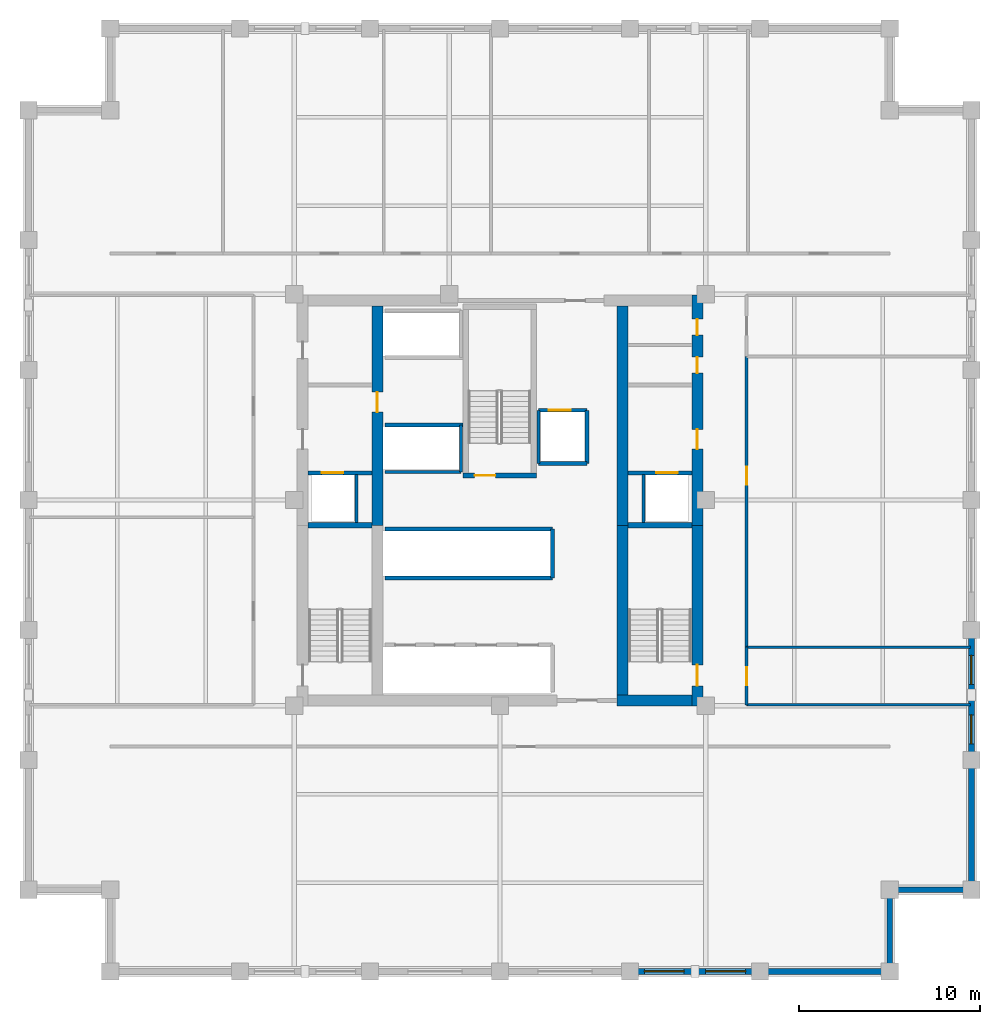
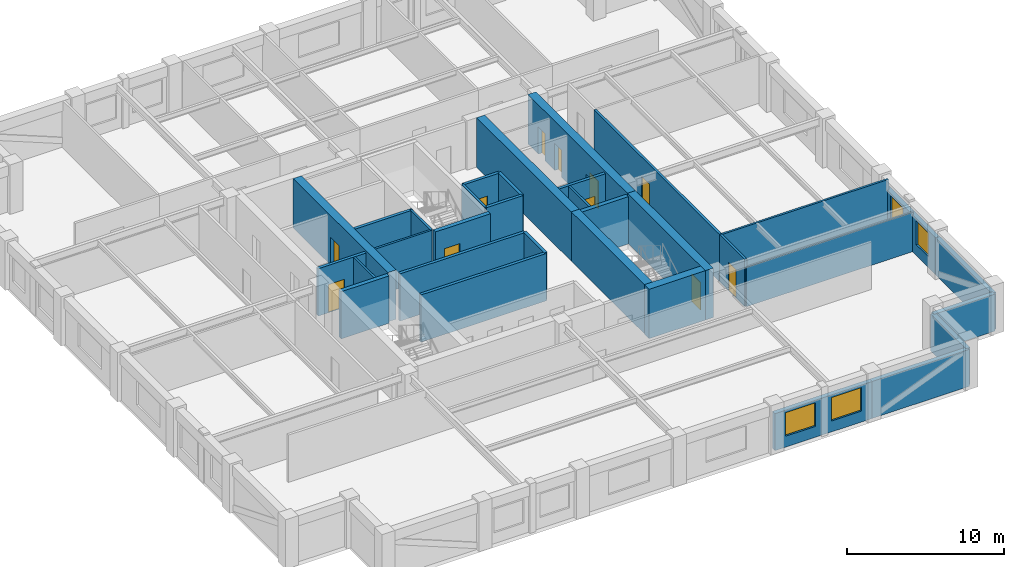
# One storey, part 3 of 6: 33 walls, 11 doors, 4 windows, 15 openings.
"""IFC4 building model written with IfcOpenShell, lengths in metres."""

from ifc_helpers import new_model, si_unit, direction, frame, frame_2d, origin, place, context, subcontext, project, spatial, rectangle, extrude, material, layer, layer_set, type_object, element, fill, save


model = new_model("IFC4")

# Units and contexts
model_context = context("Model", 3, precision=1e-05, world=origin(), true_north=direction((0.0, 1.0)))
body_context = subcontext(model_context, "Body", "Model", "MODEL_VIEW")
ifc_project = project(units=[si_unit("LENGTHUNIT", "METRE"), si_unit("AREAUNIT", "SQUARE_METRE"), si_unit("VOLUMEUNIT", "CUBIC_METRE"), si_unit("PLANEANGLEUNIT", "RADIAN"), si_unit("MASSUNIT", "GRAM", prefix="KILO")], contexts=[model_context])

# Site, building, storey
site_placement = place(None, origin())
site = spatial("IfcSite", under=ifc_project, at=site_placement, CompositionType="ELEMENT")
building_placement = place(site_placement, origin())
building = spatial("IfcBuilding", under=site, at=building_placement, Name="Nhamokura Convention Tower", CompositionType="ELEMENT")
storey_placement = place(building_placement, frame((0.0, 0.0, 114.449951171875)))
storey = spatial("IfcBuildingStorey", under=building, at=storey_placement, Name="L27", CompositionType="ELEMENT", Elevation=114.449951171875)

# Wall, openings, windows
ifc_material_1 = material(Name="Bronze-pigmented precast concrete C45/55", Category="concrete")
ifc_layer_1 = layer(ifc_material_1, 0.320068359375)
ifc_layer_set_1 = layer_set([ifc_layer_1], Name="BronzePrecastSpandrel_320")
wall_type_1 = type_object("IfcWallType", Name="BronzePrecastSpandrel_320", PredefinedType="USERDEFINED", material=ifc_layer_set_1)
wall_1_placement = place(storey_placement, frame((46.333251953125, 6.0, 0.0), z_axis=(0.0, 0.0, 1.0), x_axis=(-1.0, 0.0, 0.0)))
wall_1 = element("IfcWall", 1, at=wall_1_placement, inside=storey, type_object=wall_type_1, Name="L27 Masonry-Frame Wall SOUTH 4", ObjectType="SPANDREL_WALL", PredefinedType="USERDEFINED", context=body_context, shape_type="SweptSolid", body=[
    extrude(rectangle(XDim=7.16650390625, YDim=0.320068359375, at=frame_2d((3.583251953125, 0.0))), origin(), (0.0, 0.0, 1.0), 2.885009765625),
])
opening_1_placement = place(wall_1_placement, frame((0.791748046875, 0.0, 0.85009765625)))
opening_1 = element("IfcOpeningElement", 2, at=opening_1_placement, cuts=wall_1, Name="Opening W-06", PredefinedType="OPENING", context=body_context, shape_type="SweptSolid", body=[
    extrude(rectangle(XDim=2.199951171875, YDim=1.8349609375, at=frame_2d((1.10009765625, 0.91748046875))), frame((0.0, 0.169921875, 0.0), z_axis=(0.0, -1.0, 0.0), x_axis=(1.0, 0.0, 0.0)), (0.0, 0.0, 1.0), 0.340087890625),
])
opening_2_placement = place(wall_1_placement, frame((4.175048828125, 0.0, 0.85009765625)))
opening_2 = element("IfcOpeningElement", 3, at=opening_2_placement, cuts=wall_1, Name="Opening W-06", PredefinedType="OPENING", context=body_context, shape_type="SweptSolid", body=[
    extrude(rectangle(XDim=2.199951171875, YDim=1.8349609375, at=frame_2d((1.10009765625, 0.91748046875))), frame((0.0, 0.169921875, 0.0), z_axis=(0.0, -1.0, 0.0), x_axis=(1.0, 0.0, 0.0)), (0.0, 0.0, 1.0), 0.340087890625),
])
ifc_material_2 = material(Name="Solar-control bronze low-E double glass", Category="glass")
window_type_1 = type_object("IfcWindowType", Name="OfficeModuleWindow_Z2_2200", PartitioningType="SINGLE_PANEL", PredefinedType="WINDOW", material=ifc_material_2)
window_1_placement = place(opening_1_placement, origin())
window_1 = element("IfcWindow", 4, at=window_1_placement, inside=storey, type_object=window_type_1, Name="L27 Facade Window SOUTH 4-1", OverallHeight=1.8349609375, OverallWidth=2.199951171875, PartitioningType="SINGLE_PANEL", PredefinedType="WINDOW", context=body_context, shape_type="SweptSolid", body=[
    extrude(rectangle(XDim=2.199951171875, YDim=1.8349609375, at=frame_2d((1.10009765625, 0.91748046875))), frame((0.0, 0.030029296875, 0.0), z_axis=(0.0, -1.0, 0.0), x_axis=(1.0, 0.0, 0.0)), (0.0, 0.0, 1.0), 0.06005859375),
])
fill(opening_1, window_1)
window_2_placement = place(opening_2_placement, origin())
window_2 = element("IfcWindow", 5, at=window_2_placement, inside=storey, type_object=window_type_1, Name="L27 Facade Window SOUTH 4-2", OverallHeight=1.8349609375, OverallWidth=2.199951171875, PartitioningType="SINGLE_PANEL", PredefinedType="WINDOW", context=body_context, shape_type="SweptSolid", body=[
    extrude(rectangle(XDim=2.199951171875, YDim=1.8349609375, at=frame_2d((1.10009765625, 0.91748046875))), frame((0.0, 0.030029296875, 0.0), z_axis=(0.0, -1.0, 0.0), x_axis=(1.0, 0.0, 0.0)), (0.0, 0.0, 1.0), 0.06005859375),
])
fill(opening_2, window_2)

# Walls
for number, where, z_axis, x_axis, name in (
    (6, (53.5, 6.0, 0.0), (0.0, 0.0, 1.0), (-1.0, 0.0, 0.0), "L27 Braced-Bay Precast Wall SOUTH 5"),
    (7, (58.0, 17.666748046875, 0.0), (0.0, 0.0, 1.0), (0.0, -1.0, 0.0), "L27 Braced-Bay Precast Wall EAST 0"),
):
    element("IfcWall", number, at=place(storey_placement, frame(where, z_axis=z_axis, x_axis=x_axis)), inside=storey, type_object=wall_type_1, Name=name, ObjectType="SPANDREL_WALL", PredefinedType="USERDEFINED", context=body_context, shape_type="SweptSolid", body=[
        extrude(rectangle(XDim=7.166748046875, YDim=0.320068359375, at=frame_2d((3.58349609375, 0.0))), origin(), (0.0, 0.0, 1.0), 2.885009765625),
    ])

# Wall, openings, windows
wall_2_placement = place(storey_placement, frame((58.0, 24.833251953125, 0.0), z_axis=(0.0, 0.0, 1.0), x_axis=(0.0, -1.0, 0.0)))
wall_2 = element("IfcWall", 8, at=wall_2_placement, inside=storey, type_object=wall_type_1, Name="L27 Masonry-Frame Wall EAST 1", ObjectType="SPANDREL_WALL", PredefinedType="USERDEFINED", context=body_context, shape_type="SweptSolid", body=[
    extrude(rectangle(XDim=7.16650390625, YDim=0.320068359375, at=frame_2d((3.583251953125, 0.0))), origin(), (0.0, 0.0, 1.0), 2.885009765625),
])
opening_3_placement = place(wall_2_placement, frame((1.404296875, 0.0, 0.85009765625)))
opening_3 = element("IfcOpeningElement", 9, at=opening_3_placement, cuts=wall_2, Name="Opening W-11", PredefinedType="OPENING", context=body_context, shape_type="SweptSolid", body=[
    extrude(rectangle(XDim=1.60009765625, YDim=1.8349609375, at=frame_2d((0.800048828125, 0.91748046875))), frame((0.0, 0.169921875, 0.0), z_axis=(0.0, -1.0, 0.0), x_axis=(1.0, 0.0, 0.0)), (0.0, 0.0, 1.0), 0.340087890625),
])
opening_4_placement = place(wall_2_placement, frame((4.6875, 0.0, 0.85009765625)))
opening_4 = element("IfcOpeningElement", 10, at=opening_4_placement, cuts=wall_2, Name="Opening W-11", PredefinedType="OPENING", context=body_context, shape_type="SweptSolid", body=[
    extrude(rectangle(XDim=1.60009765625, YDim=1.8349609375, at=frame_2d((0.800048828125, 0.91748046875))), frame((0.0, 0.169921875, 0.0), z_axis=(0.0, -1.0, 0.0), x_axis=(1.0, 0.0, 0.0)), (0.0, 0.0, 1.0), 0.340087890625),
])
ifc_material_3 = material(Name="Solar-control bronze low-E double glass", Category="glass")
window_type_2 = type_object("IfcWindowType", Name="NotchCornerWindow_1600", PartitioningType="SINGLE_PANEL", PredefinedType="WINDOW", material=ifc_material_3)
window_3_placement = place(opening_3_placement, origin())
window_3 = element("IfcWindow", 11, at=window_3_placement, inside=storey, type_object=window_type_2, Name="L27 Facade Window EAST 1-1", OverallHeight=1.8349609375, OverallWidth=1.60009765625, PartitioningType="SINGLE_PANEL", PredefinedType="WINDOW", context=body_context, shape_type="SweptSolid", body=[
    extrude(rectangle(XDim=1.60009765625, YDim=1.8349609375, at=frame_2d((0.800048828125, 0.91748046875))), frame((0.0, 0.030029296875, 0.0), z_axis=(0.0, -1.0, 0.0), x_axis=(1.0, 0.0, 0.0)), (0.0, 0.0, 1.0), 0.06005859375),
])
fill(opening_3, window_3)
window_4_placement = place(opening_4_placement, origin())
window_4 = element("IfcWindow", 12, at=window_4_placement, inside=storey, type_object=window_type_2, Name="L27 Facade Window EAST 1-2", OverallHeight=1.8349609375, OverallWidth=1.60009765625, PartitioningType="SINGLE_PANEL", PredefinedType="WINDOW", context=body_context, shape_type="SweptSolid", body=[
    extrude(rectangle(XDim=1.60009765625, YDim=1.8349609375, at=frame_2d((0.800048828125, 0.91748046875))), frame((0.0, 0.030029296875, 0.0), z_axis=(0.0, -1.0, 0.0), x_axis=(1.0, 0.0, 0.0)), (0.0, 0.0, 1.0), 0.06005859375),
])
fill(opening_4, window_4)

# Walls
for number, where, z_axis, x_axis, name in (
    (13, (53.5, 10.5, 0.0), (0.0, 0.0, 1.0), (0.0, -1.0, 0.0), "L27 Notched Corner Wall SE1"),
    (14, (58.0, 10.5, 0.0), (0.0, 0.0, 1.0), (-1.0, 0.0, 0.0), "L27 Notched Corner Wall SE2"),
):
    element("IfcWall", number, at=place(storey_placement, frame(where, z_axis=z_axis, x_axis=x_axis)), inside=storey, type_object=wall_type_1, Name=name, ObjectType="SPANDREL_WALL", PredefinedType="USERDEFINED", context=body_context, shape_type="SweptSolid", body=[
        extrude(rectangle(XDim=4.5, YDim=0.320068359375, at=frame_2d((2.25, 0.0))), origin(), (0.0, 0.0, 1.0), 2.885009765625),
    ])

# Wall, opening, door
ifc_material_4 = material(Name="Concrete C60/75", Category="concrete")
ifc_layer_2 = layer(ifc_material_4, 0.60009765625)
ifc_layer_set_2 = layer_set([ifc_layer_2], Name="CoreShearWall_600")
wall_type_2 = type_object("IfcWallType", Name="CoreShearWall_600", PredefinedType="SHEAR", material=ifc_layer_set_2)
wall_3_placement = place(storey_placement, frame((42.889892578125, 20.64990234375, 0.0), z_axis=(0.0, 0.0, 1.0), x_axis=(0.0, 1.0, 0.0)))
wall_3 = element("IfcWall", 15, at=wall_3_placement, inside=storey, type_object=wall_type_2, Name="L27 Core Shear Wall CW-ES", PredefinedType="SHEAR", context=body_context, shape_type="SweptSolid", body=[
    extrude(rectangle(XDim=9.9501953125, YDim=0.60009765625, at=frame_2d((4.97509765625, 0.0))), origin(), (0.0, 0.0, 1.0), 3.85009765625),
])
opening_5_placement = place(wall_3_placement, frame((1.10009765625, 0.0, 0.0)))
opening_5 = element("IfcOpeningElement", 16, at=opening_5_placement, cuts=wall_3, Name="Opening D-04", PredefinedType="OPENING", context=body_context, shape_type="SweptSolid", body=[
    extrude(rectangle(XDim=1.14990234375, YDim=2.14990234375, at=frame_2d((0.574951171875, 1.074951171875))), frame((0.0, 0.31005859375, 0.0), z_axis=(0.0, -1.0, 0.0), x_axis=(1.0, 0.0, 0.0)), (0.0, 0.0, 1.0), 0.6201171875),
])
ifc_material_5 = material(Name="Fire-rated steel door", Category="steel")
door_type_1 = type_object("IfcDoorType", Name="StairSmokeDoor_1150", OperationType="NOTDEFINED", PredefinedType="DOOR", material=ifc_material_5)
door_1_placement = place(opening_5_placement, origin())
door_1 = element("IfcDoor", 17, at=door_1_placement, inside=storey, type_object=door_type_1, Name="L27 Core Door INT-L27-D-ST02", OperationType="SINGLE_SWING_RIGHT", OverallHeight=2.14990234375, OverallWidth=1.14990234375, PredefinedType="DOOR", context=body_context, shape_type="SweptSolid", body=[
    extrude(rectangle(XDim=1.14990234375, YDim=2.14990234375, at=frame_2d((0.574951171875, 1.074951171875))), frame((0.0, 0.02490234375, 0.0), z_axis=(0.0, -1.0, 0.0), x_axis=(1.0, 0.0, 0.0)), (0.0, 0.0, 1.0), 0.050048828125),
])
fill(opening_5, door_1)

# Wall, openings, doors
wall_4_placement = place(storey_placement, frame((42.889892578125, 30.60009765625, 0.0), z_axis=(0.0, 0.0, 1.0), x_axis=(0.0, 1.0, 0.0)))
wall_4 = element("IfcWall", 18, at=wall_4_placement, inside=storey, type_object=wall_type_2, Name="L27 Core Shear Wall CW-EN", PredefinedType="SHEAR", context=body_context, shape_type="SweptSolid", body=[
    extrude(rectangle(XDim=12.699951171875, YDim=0.60009765625, at=frame_2d((6.35009765625, 0.0))), origin(), (0.0, 0.0, 1.0), 3.85009765625),
])
opening_6_placement = place(wall_4_placement, frame((4.199951171875, 0.0, 0.0)))
opening_6 = element("IfcOpeningElement", 19, at=opening_6_placement, cuts=wall_4, Name="Opening D-05", PredefinedType="OPENING", context=body_context, shape_type="SweptSolid", body=[
    extrude(rectangle(XDim=1.10009765625, YDim=2.14990234375, at=frame_2d((0.550048828125, 1.074951171875))), frame((0.0, 0.31005859375, 0.0), z_axis=(0.0, -1.0, 0.0), x_axis=(1.0, 0.0, 0.0)), (0.0, 0.0, 1.0), 0.6201171875),
])
opening_7_placement = place(wall_4_placement, frame((8.39990234375, 0.0, 0.0)))
opening_7 = element("IfcOpeningElement", 20, at=opening_7_placement, cuts=wall_4, Name="Opening D-11", PredefinedType="OPENING", context=body_context, shape_type="SweptSolid", body=[
    extrude(rectangle(XDim=0.8798828125, YDim=2.10009765625, at=frame_2d((0.43994140625, 1.050048828125))), frame((0.0, 0.31005859375, 0.0), z_axis=(0.0, -1.0, 0.0), x_axis=(1.0, 0.0, 0.0)), (0.0, 0.0, 1.0), 0.6201171875),
])
opening_8_placement = place(wall_4_placement, frame((10.5, 0.0, 0.0)))
opening_8 = element("IfcOpeningElement", 21, at=opening_8_placement, cuts=wall_4, Name="Opening D-11", PredefinedType="OPENING", context=body_context, shape_type="SweptSolid", body=[
    extrude(rectangle(XDim=0.8798828125, YDim=2.10009765625, at=frame_2d((0.43994140625, 1.050048828125))), frame((0.0, 0.31005859375, 0.0), z_axis=(0.0, -1.0, 0.0), x_axis=(1.0, 0.0, 0.0)), (0.0, 0.0, 1.0), 0.6201171875),
])
ifc_material_6 = material(Name="Solid oak hardwood", Category="wood")
door_type_2 = type_object("IfcDoorType", Name="BathroomDoor_880", OperationType="NOTDEFINED", PredefinedType="DOOR", material=ifc_material_6)
door_2_placement = place(opening_7_placement, origin())
door_2 = element("IfcDoor", 22, at=door_2_placement, inside=storey, type_object=door_type_2, Name="L27 Core Door INT-L27-D-MWC", OperationType="SINGLE_SWING_RIGHT", OverallHeight=2.10009765625, OverallWidth=0.8798828125, PredefinedType="DOOR", context=body_context, shape_type="SweptSolid", body=[
    extrude(rectangle(XDim=0.8798828125, YDim=2.10009765625, at=frame_2d((0.43994140625, 1.050048828125))), frame((0.0, 0.02490234375, 0.0), z_axis=(0.0, -1.0, 0.0), x_axis=(1.0, 0.0, 0.0)), (0.0, 0.0, 1.0), 0.050048828125),
])
fill(opening_7, door_2)
door_3_placement = place(opening_8_placement, origin())
door_3 = element("IfcDoor", 23, at=door_3_placement, inside=storey, type_object=door_type_2, Name="L27 Core Door INT-L27-D-FWC", OperationType="SINGLE_SWING_LEFT", OverallHeight=2.10009765625, OverallWidth=0.8798828125, PredefinedType="DOOR", context=body_context, shape_type="SweptSolid", body=[
    extrude(rectangle(XDim=0.8798828125, YDim=2.10009765625, at=frame_2d((0.43994140625, 1.050048828125))), frame((0.0, 0.02490234375, 0.0), z_axis=(0.0, -1.0, 0.0), x_axis=(1.0, 0.0, 0.0)), (0.0, 0.0, 1.0), 0.050048828125),
])
fill(opening_8, door_3)
ifc_material_7 = material(Name="Fire-rated steel door", Category="steel")
door_type_3 = type_object("IfcDoorType", Name="FireLobbyDoor_1100", OperationType="NOTDEFINED", PredefinedType="DOOR", material=ifc_material_7)
door_4_placement = place(opening_6_placement, origin())
door_4 = element("IfcDoor", 24, at=door_4_placement, inside=storey, type_object=door_type_3, Name="L27 Core Door INT-L27-D-FFLE", OperationType="SINGLE_SWING_LEFT", OverallHeight=2.14990234375, OverallWidth=1.10009765625, PredefinedType="DOOR", context=body_context, shape_type="SweptSolid", body=[
    extrude(rectangle(XDim=1.10009765625, YDim=2.14990234375, at=frame_2d((0.550048828125, 1.074951171875))), frame((0.0, 0.02490234375, 0.0), z_axis=(0.0, -1.0, 0.0), x_axis=(1.0, 0.0, 0.0)), (0.0, 0.0, 1.0), 0.050048828125),
])
fill(opening_6, door_4)

# Wall
wall_5_placement = place(storey_placement, frame((38.449951171875, 20.949951171875, 0.0), z_axis=(0.0, 0.0, 1.0), x_axis=(1.0, 0.0, 0.0)))
element("IfcWall", 25, at=wall_5_placement, inside=storey, type_object=wall_type_2, Name="L27 Core Shear Wall CW-S2", PredefinedType="SHEAR", context=body_context, shape_type="SweptSolid", body=[
    extrude(rectangle(XDim=4.14013671875, YDim=0.60009765625, at=frame_2d((2.070068359375, 0.0))), origin(), (0.0, 0.0, 1.0), 3.85009765625),
])

# Wall, opening, door
wall_6_placement = place(storey_placement, frame((25.239990234375, 30.60009765625, 0.0), z_axis=(0.0, 0.0, 1.0), x_axis=(0.0, 1.0, 0.0)))
wall_6 = element("IfcWall", 26, at=wall_6_placement, inside=storey, type_object=wall_type_2, Name="L27 Core Shear Wall CW-IWN", PredefinedType="SHEAR", context=body_context, shape_type="SweptSolid", body=[
    extrude(rectangle(XDim=12.099853515625, YDim=0.60009765625, at=frame_2d((6.0498046875, 0.0))), origin(), (0.0, 0.0, 1.0), 3.85009765625),
])
opening_9_placement = place(wall_6_placement, frame((6.25, 0.0, 0.0)))
opening_9 = element("IfcOpeningElement", 27, at=opening_9_placement, cuts=wall_6, Name="Opening D-05", PredefinedType="OPENING", context=body_context, shape_type="SweptSolid", body=[
    extrude(rectangle(XDim=1.10009765625, YDim=2.14990234375, at=frame_2d((0.550048828125, 1.074951171875))), frame((0.0, 0.31005859375, 0.0), z_axis=(0.0, -1.0, 0.0), x_axis=(1.0, 0.0, 0.0)), (0.0, 0.0, 1.0), 0.6201171875),
])
door_5_placement = place(opening_9_placement, origin())
door_5 = element("IfcDoor", 28, at=door_5_placement, inside=storey, type_object=door_type_3, Name="L27 Core Door INT-L27-D-B3LOB", OperationType="SINGLE_SWING_LEFT", OverallHeight=2.14990234375, OverallWidth=1.10009765625, PredefinedType="DOOR", context=body_context, shape_type="SweptSolid", body=[
    extrude(rectangle(XDim=1.10009765625, YDim=2.14990234375, at=frame_2d((0.550048828125, 1.074951171875))), frame((0.0, 0.02490234375, 0.0), z_axis=(0.0, -1.0, 0.0), x_axis=(1.0, 0.0, 0.0)), (0.0, 0.0, 1.0), 0.050048828125),
])
fill(opening_9, door_5)

# Walls
wall_7_placement = place(storey_placement, frame((38.760009765625, 21.25, 0.0), z_axis=(0.0, 0.0, 1.0), x_axis=(0.0, 1.0, 0.0)))
element("IfcWall", 29, at=wall_7_placement, inside=storey, type_object=wall_type_2, Name="L27 Core Shear Wall CW-IES", PredefinedType="SHEAR", context=body_context, shape_type="SweptSolid", body=[
    extrude(rectangle(XDim=9.35009765625, YDim=0.60009765625, at=frame_2d((4.675048828125, 0.0))), origin(), (0.0, 0.0, 1.0), 3.85009765625),
])
wall_8_placement = place(storey_placement, frame((38.760009765625, 30.60009765625, 0.0), z_axis=(0.0, 0.0, 1.0), x_axis=(0.0, 1.0, 0.0)))
element("IfcWall", 30, at=wall_8_placement, inside=storey, type_object=wall_type_2, Name="L27 Core Shear Wall CW-IEN", PredefinedType="SHEAR", context=body_context, shape_type="SweptSolid", body=[
    extrude(rectangle(XDim=12.099853515625, YDim=0.60009765625, at=frame_2d((6.0498046875, 0.0))), origin(), (0.0, 0.0, 1.0), 3.85009765625),
])

# Wall, opening, door
ifc_material_8 = material(Name="Fire-rated gypsum and masonry partition", Category="masonry")
ifc_layer_3 = layer(ifc_material_8, 0.179931640625)
ifc_layer_set_3 = layer_set([ifc_layer_3], Name="CorridorRatedWall_180")
wall_type_3 = type_object("IfcWallType", Name="CorridorRatedWall_180", PredefinedType="STANDARD", material=ifc_layer_set_3)
wall_9_placement = place(storey_placement, frame((45.60009765625, 20.699951171875, 0.0), z_axis=(0.0, 0.0, 1.0), x_axis=(0.0, 1.0, 0.0)))
wall_9 = element("IfcWall", 31, at=wall_9_placement, inside=storey, type_object=wall_type_3, Name="L27 Wall INT-L27-CW-E00", PredefinedType="STANDARD", context=body_context, shape_type="SweptSolid", body=[
    extrude(rectangle(XDim=3.183349609375, YDim=0.179931640625, at=frame_2d((1.591796875, 0.0))), origin(), (0.0, 0.0, 1.0), 3.68505859375),
])
opening_10_placement = place(wall_9_placement, frame((1.091552734375, 0.0, 0.0)))
opening_10 = element("IfcOpeningElement", 32, at=opening_10_placement, cuts=wall_9, Name="Opening D-08", PredefinedType="OPENING", context=body_context, shape_type="SweptSolid", body=[
    extrude(rectangle(XDim=0.97998046875, YDim=2.199951171875, at=frame_2d((0.489990234375, 1.10009765625))), frame((0.0, 0.099853515625, 0.0), z_axis=(0.0, -1.0, 0.0), x_axis=(1.0, 0.0, 0.0)), (0.0, 0.0, 1.0), 0.199951171875),
])
ifc_material_9 = material(Name="Solid oak hardwood", Category="wood")
door_type_4 = type_object("IfcDoorType", Name="OfficeEntryDoor_980", OperationType="NOTDEFINED", PredefinedType="DOOR", material=ifc_material_9)
door_6_placement = place(opening_10_placement, origin())
door_6 = element("IfcDoor", 33, at=door_6_placement, inside=storey, type_object=door_type_4, Name="L27 Archive Store E01 Door", OperationType="SINGLE_SWING_LEFT", OverallHeight=2.199951171875, OverallWidth=0.97998046875, PredefinedType="DOOR", context=body_context, shape_type="SweptSolid", body=[
    extrude(rectangle(XDim=0.97998046875, YDim=2.199951171875, at=frame_2d((0.489990234375, 1.10009765625))), frame((0.0, 0.02490234375, 0.0), z_axis=(0.0, -1.0, 0.0), x_axis=(1.0, 0.0, 0.0)), (0.0, 0.0, 1.0), 0.050048828125),
])
fill(opening_10, door_6)

wall_10_placement = place(storey_placement, frame((45.60009765625, 23.88330078125, 0.0), z_axis=(0.0, 0.0, 1.0), x_axis=(0.0, 1.0, 0.0)))
wall_10 = element("IfcWall", 34, at=wall_10_placement, inside=storey, type_object=wall_type_3, Name="L27 Wall INT-L27-CW-E01", PredefinedType="STANDARD", context=body_context, shape_type="SweptSolid", body=[
    extrude(rectangle(XDim=16.033447265625, YDim=0.179931640625, at=frame_2d((8.0166015625, 0.0))), origin(), (0.0, 0.0, 1.0), 3.68505859375),
])
opening_11_placement = place(wall_10_placement, frame((8.966796875, 0.0, 0.0)))
opening_11 = element("IfcOpeningElement", 35, at=opening_11_placement, cuts=wall_10, Name="Opening D-08", PredefinedType="OPENING", context=body_context, shape_type="SweptSolid", body=[
    extrude(rectangle(XDim=0.97998046875, YDim=2.199951171875, at=frame_2d((0.489990234375, 1.10009765625))), frame((0.0, 0.099853515625, 0.0), z_axis=(0.0, -1.0, 0.0), x_axis=(1.0, 0.0, 0.0)), (0.0, 0.0, 1.0), 0.199951171875),
])
door_7_placement = place(opening_11_placement, origin())
door_7 = element("IfcDoor", 36, at=door_7_placement, inside=storey, type_object=door_type_4, Name="L27 Private Office E02 Door", OperationType="SINGLE_SWING_RIGHT", OverallHeight=2.199951171875, OverallWidth=0.97998046875, PredefinedType="DOOR", context=body_context, shape_type="SweptSolid", body=[
    extrude(rectangle(XDim=0.97998046875, YDim=2.199951171875, at=frame_2d((0.489990234375, 1.10009765625))), frame((0.0, 0.02490234375, 0.0), z_axis=(0.0, -1.0, 0.0), x_axis=(1.0, 0.0, 0.0)), (0.0, 0.0, 1.0), 0.050048828125),
])
fill(opening_11, door_7)

ifc_material_10 = material(Name="Autoclaved concrete blockwork", Category="masonry")
ifc_layer_4 = layer(ifc_material_10, 0.219970703125)
ifc_layer_set_4 = layer_set([ifc_layer_4], Name="FireLobbyWall_220")
wall_type_4 = type_object("IfcWallType", Name="FireLobbyWall_220", PredefinedType="STANDARD", material=ifc_layer_set_4)
wall_11_placement = place(storey_placement, frame((21.409912109375, 33.5, 0.0), z_axis=(0.0, 0.0, 1.0), x_axis=(1.0, 0.0, 0.0)))
wall_11 = element("IfcWall", 37, at=wall_11_placement, inside=storey, type_object=wall_type_4, Name="L27 Wall INT-L27-FFW-S", PredefinedType="STANDARD", context=body_context, shape_type="SweptSolid", body=[
    extrude(rectangle(XDim=3.530029296875, YDim=0.219970703125, at=frame_2d((1.76513671875, 0.0))), origin(), (0.0, 0.0, 1.0), 3.68505859375),
])
opening_12_placement = place(wall_11_placement, frame((0.75, 0.0, 0.0)))
opening_12 = element("IfcOpeningElement", 38, at=opening_12_placement, cuts=wall_11, Name="Opening LD-02", PredefinedType="OPENING", context=body_context, shape_type="SweptSolid", body=[
    extrude(rectangle(XDim=1.199951171875, YDim=2.199951171875, at=frame_2d((0.60009765625, 1.10009765625))), frame((0.0, 0.119873046875, 0.0), z_axis=(0.0, -1.0, 0.0), x_axis=(1.0, 0.0, 0.0)), (0.0, 0.0, 1.0), 0.239990234375),
])
ifc_material_11 = material(Name="Anodised bronze stainless steel", Category="steel")
door_type_5 = type_object("IfcDoorType", Name="LiftLandingDoor_FireService", OperationType="DOUBLE_DOOR_SLIDING", PredefinedType="DOOR", material=ifc_material_11)
door_8_placement = place(opening_12_placement, origin())
door_8 = element("IfcDoor", 39, at=door_8_placement, inside=storey, type_object=door_type_5, Name="L27 Firefighting Lift LF-01 Door", OperationType="DOUBLE_DOOR_SLIDING", OverallHeight=2.199951171875, OverallWidth=1.199951171875, PredefinedType="DOOR", context=body_context, shape_type="SweptSolid", body=[
    extrude(rectangle(XDim=1.199951171875, YDim=2.199951171875, at=frame_2d((0.60009765625, 1.10009765625))), frame((0.0, 0.02490234375, 0.0), z_axis=(0.0, -1.0, 0.0), x_axis=(1.0, 0.0, 0.0)), (0.0, 0.0, 1.0), 0.050048828125),
])
fill(opening_12, door_8)

wall_12_placement = place(storey_placement, frame((39.06005859375, 33.5, 0.0), z_axis=(0.0, 0.0, 1.0), x_axis=(1.0, 0.0, 0.0)))
wall_12 = element("IfcWall", 40, at=wall_12_placement, inside=storey, type_object=wall_type_4, Name="L27 Wall INT-L27-FFE-S", PredefinedType="STANDARD", context=body_context, shape_type="SweptSolid", body=[
    extrude(rectangle(XDim=3.530029296875, YDim=0.219970703125, at=frame_2d((1.76513671875, 0.0))), origin(), (0.0, 0.0, 1.0), 3.68505859375),
])
opening_13_placement = place(wall_12_placement, frame((1.550048828125, 0.0, 0.0)))
opening_13 = element("IfcOpeningElement", 41, at=opening_13_placement, cuts=wall_12, Name="Opening LD-02", PredefinedType="OPENING", context=body_context, shape_type="SweptSolid", body=[
    extrude(rectangle(XDim=1.199951171875, YDim=2.199951171875, at=frame_2d((0.60009765625, 1.10009765625))), frame((0.0, 0.119873046875, 0.0), z_axis=(0.0, -1.0, 0.0), x_axis=(1.0, 0.0, 0.0)), (0.0, 0.0, 1.0), 0.239990234375),
])
door_9_placement = place(opening_13_placement, origin())
door_9 = element("IfcDoor", 42, at=door_9_placement, inside=storey, type_object=door_type_5, Name="L27 Firefighting Lift LF-02 Door", OperationType="DOUBLE_DOOR_SLIDING", OverallHeight=2.199951171875, OverallWidth=1.199951171875, PredefinedType="DOOR", context=body_context, shape_type="SweptSolid", body=[
    extrude(rectangle(XDim=1.199951171875, YDim=2.199951171875, at=frame_2d((0.60009765625, 1.10009765625))), frame((0.0, 0.02490234375, 0.0), z_axis=(0.0, -1.0, 0.0), x_axis=(1.0, 0.0, 0.0)), (0.0, 0.0, 1.0), 0.050048828125),
])
fill(opening_13, door_9)

# Walls
for number, where, z_axis, x_axis, name in (
    (43, (25.64990234375, 27.699951171875, 0.0), (0.0, 0.0, 1.0), (1.0, 0.0, 0.0), "L27 Wall INT-L27-B2S"),
    (44, (25.64990234375, 30.39990234375, 0.0), (0.0, 0.0, 1.0), (1.0, 0.0, 0.0), "L27 Wall INT-L27-B2N"),
):
    element("IfcWall", number, at=place(storey_placement, frame(where, z_axis=z_axis, x_axis=x_axis)), inside=storey, type_object=wall_type_4, Name=name, PredefinedType="STANDARD", context=body_context, shape_type="SweptSolid", body=[
        extrude(rectangle(XDim=9.25, YDim=0.219970703125, at=frame_2d((4.625, 0.0))), origin(), (0.0, 0.0, 1.0), 3.68505859375),
    ])
wall_13_placement = place(storey_placement, frame((34.89990234375, 27.699951171875, 0.0), z_axis=(0.0, 0.0, 1.0), x_axis=(0.0, 1.0, 0.0)))
element("IfcWall", 45, at=wall_13_placement, inside=storey, type_object=wall_type_4, Name="L27 Wall INT-L27-B2E", PredefinedType="STANDARD", context=body_context, shape_type="SweptSolid", body=[
    extrude(rectangle(XDim=2.699951171875, YDim=0.219970703125, at=frame_2d((1.35009765625, 0.0))), origin(), (0.0, 0.0, 1.0), 3.68505859375),
])
wall_14_placement = place(storey_placement, frame((25.64990234375, 36.14990234375, 0.0), z_axis=(0.0, 0.0, 1.0), x_axis=(1.0, 0.0, 0.0)))
element("IfcWall", 46, at=wall_14_placement, inside=storey, type_object=wall_type_4, Name="L27 Wall INT-L27-B3S", PredefinedType="STANDARD", context=body_context, shape_type="SweptSolid", body=[
    extrude(rectangle(XDim=4.300048828125, YDim=0.219970703125, at=frame_2d((2.14990234375, 0.0))), origin(), (0.0, 0.0, 1.0), 3.68505859375),
])

# Wall, opening, door
wall_15_placement = place(storey_placement, frame((34.1201171875, 36.949951171875, 0.0), z_axis=(0.0, 0.0, 1.0), x_axis=(1.0, 0.0, 0.0)))
wall_15 = element("IfcWall", 47, at=wall_15_placement, inside=storey, type_object=wall_type_4, Name="L27 Wall INT-L27-LSN", PredefinedType="STANDARD", context=body_context, shape_type="SweptSolid", body=[
    extrude(rectangle(XDim=2.679931640625, YDim=0.219970703125, at=frame_2d((1.33984375, 0.0))), origin(), (0.0, 0.0, 1.0), 3.68505859375),
])
opening_14_placement = place(wall_15_placement, frame((0.580078125, 0.0, 0.0)))
opening_14 = element("IfcOpeningElement", 48, at=opening_14_placement, cuts=wall_15, Name="Opening LD-02", PredefinedType="OPENING", context=body_context, shape_type="SweptSolid", body=[
    extrude(rectangle(XDim=1.199951171875, YDim=2.199951171875, at=frame_2d((0.60009765625, 1.10009765625))), frame((0.0, 0.119873046875, 0.0), z_axis=(0.0, -1.0, 0.0), x_axis=(1.0, 0.0, 0.0)), (0.0, 0.0, 1.0), 0.239990234375),
])
door_10_placement = place(opening_14_placement, origin())
door_10 = element("IfcDoor", 49, at=door_10_placement, inside=storey, type_object=door_type_5, Name="L27 Service Lift LS-01 Door", OperationType="DOUBLE_DOOR_SLIDING", OverallHeight=2.199951171875, OverallWidth=1.199951171875, PredefinedType="DOOR", context=body_context, shape_type="SweptSolid", body=[
    extrude(rectangle(XDim=1.199951171875, YDim=2.199951171875, at=frame_2d((0.60009765625, 1.10009765625))), frame((0.0, 0.02490234375, 0.0), z_axis=(0.0, -1.0, 0.0), x_axis=(1.0, 0.0, 0.0)), (0.0, 0.0, 1.0), 0.050048828125),
])
fill(opening_14, door_10)

# Walls
wall_16_placement = place(storey_placement, frame((36.800048828125, 34.02001953125, 0.0), z_axis=(0.0, 0.0, 1.0), x_axis=(0.0, 1.0, 0.0)))
element("IfcWall", 50, at=wall_16_placement, inside=storey, type_object=wall_type_4, Name="L27 Wall INT-L27-LSE", PredefinedType="STANDARD", context=body_context, shape_type="SweptSolid", body=[
    extrude(rectangle(XDim=2.929931640625, YDim=0.219970703125, at=frame_2d((1.46484375, 0.0))), origin(), (0.0, 0.0, 1.0), 3.68505859375),
])
wall_17_placement = place(storey_placement, frame((34.1201171875, 34.02001953125, 0.0), z_axis=(0.0, 0.0, 1.0), x_axis=(1.0, 0.0, 0.0)))
element("IfcWall", 51, at=wall_17_placement, inside=storey, type_object=wall_type_4, Name="L27 Wall INT-L27-LSS", PredefinedType="STANDARD", context=body_context, shape_type="SweptSolid", body=[
    extrude(rectangle(XDim=2.679931640625, YDim=0.219970703125, at=frame_2d((1.33984375, 0.0))), origin(), (0.0, 0.0, 1.0), 3.68505859375),
])
ifc_material_12 = material(Name="Acoustic gypsum stud partition", Category="masonry")
ifc_layer_5 = layer(ifc_material_12, 0.14990234375)
ifc_layer_set_5 = layer_set([ifc_layer_5], Name="InteriorPartition_150")
wall_type_5 = type_object("IfcWallType", Name="InteriorPartition_150", PredefinedType="STANDARD", material=ifc_layer_set_5)
for number, where, z_axis, x_axis, name in (
    (52, (24.080078125, 30.75, 0.0), (0.0, 0.0, 1.0), (0.0, 1.0, 0.0), "L27 Wall INT-L27-FF1-E"),
    (53, (39.919921875, 30.75, 0.0), (0.0, 0.0, 1.0), (0.0, 1.0, 0.0), "L27 Wall INT-L27-FF2-W"),
):
    element("IfcWall", number, at=place(storey_placement, frame(where, z_axis=z_axis, x_axis=x_axis)), inside=storey, type_object=wall_type_5, Name=name, PredefinedType="STANDARD", context=body_context, shape_type="SweptSolid", body=[
        extrude(rectangle(XDim=2.64990234375, YDim=0.14990234375, at=frame_2d((1.324951171875, 0.0))), origin(), (0.0, 0.0, 1.0), 3.68505859375),
    ])
wall_18_placement = place(storey_placement, frame((25.64990234375, 33.550048828125, 0.0), z_axis=(0.0, 0.0, 1.0), x_axis=(1.0, 0.0, 0.0)))
element("IfcWall", 54, at=wall_18_placement, inside=storey, type_object=wall_type_5, Name="L27 Wall INT-L27-B3A-S", PredefinedType="STANDARD", context=body_context, shape_type="SweptSolid", body=[
    extrude(rectangle(XDim=4.2001953125, YDim=0.14990234375, at=frame_2d((2.10009765625, 0.0))), origin(), (0.0, 0.0, 1.0), 3.68505859375),
])
wall_19_placement = place(storey_placement, frame((29.85009765625, 33.550048828125, 0.0), z_axis=(0.0, 0.0, 1.0), x_axis=(0.0, 1.0, 0.0)))
element("IfcWall", 55, at=wall_19_placement, inside=storey, type_object=wall_type_5, Name="L27 Wall INT-L27-B3A-E", PredefinedType="STANDARD", context=body_context, shape_type="SweptSolid", body=[
    extrude(rectangle(XDim=2.599853515625, YDim=0.14990234375, at=frame_2d((1.2998046875, 0.0))), origin(), (0.0, 0.0, 1.0), 3.68505859375),
])
wall_20_placement = place(storey_placement, frame((34.1201171875, 34.02001953125, 0.0), z_axis=(0.0, 0.0, 1.0), x_axis=(0.0, 1.0, 0.0)))
element("IfcWall", 56, at=wall_20_placement, inside=storey, type_object=wall_type_5, Name="L27 Wall INT-L27-LSW", PredefinedType="STANDARD", context=body_context, shape_type="SweptSolid", body=[
    extrude(rectangle(XDim=2.929931640625, YDim=0.14990234375, at=frame_2d((1.46484375, 0.0))), origin(), (0.0, 0.0, 1.0), 3.68505859375),
])
wall_21_placement = place(storey_placement, frame((45.60009765625, 20.699951171875, 0.0), z_axis=(0.0, 0.0, 1.0), x_axis=(1.0, 0.0, 0.0)))
element("IfcWall", 57, at=wall_21_placement, inside=storey, type_object=wall_type_5, Name="L27 Wall INT-L27-RWB-E", PredefinedType="STANDARD", context=body_context, shape_type="SweptSolid", body=[
    extrude(rectangle(XDim=12.33984375, YDim=0.14990234375, at=frame_2d((6.169921875, 0.0))), origin(), (0.0, 0.0, 1.0), 3.06494140625),
])
wall_22_placement = place(storey_placement, frame((45.60009765625, 23.88330078125, 0.0), z_axis=(0.0, 0.0, 1.0), x_axis=(1.0, 0.0, 0.0)))
element("IfcWall", 58, at=wall_22_placement, inside=storey, type_object=wall_type_5, Name="L27 Wall INT-L27-RW-E01", PredefinedType="STANDARD", context=body_context, shape_type="SweptSolid", body=[
    extrude(rectangle(XDim=12.33984375, YDim=0.14990234375, at=frame_2d((6.169921875, 0.0))), origin(), (0.0, 0.0, 1.0), 3.68505859375),
])
ifc_material_13 = material(Name="Concrete C50/60", Category="concrete")
ifc_layer_6 = layer(ifc_material_13, 0.300048828125)
ifc_layer_set_6 = layer_set([ifc_layer_6], Name="ShaftEnclosureWall_300")
wall_type_6 = type_object("IfcWallType", Name="ShaftEnclosureWall_300", PredefinedType="SHEAR", material=ifc_layer_set_6)
for number, where, z_axis, x_axis, name in (
    (59, (21.409912109375, 30.60009765625, 0.0), (0.0, 0.0, 1.0), (1.0, 0.0, 0.0), "L27 Wall INT-L27-ST01-N"),
    (60, (39.06005859375, 30.60009765625, 0.0), (0.0, 0.0, 1.0), (1.0, 0.0, 0.0), "L27 Wall INT-L27-ST02-N"),
):
    element("IfcWall", number, at=place(storey_placement, frame(where, z_axis=z_axis, x_axis=x_axis)), inside=storey, type_object=wall_type_6, Name=name, PredefinedType="SHEAR", context=body_context, shape_type="SweptSolid", body=[
        extrude(rectangle(XDim=3.530029296875, YDim=0.300048828125, at=frame_2d((1.76513671875, 0.0))), origin(), (0.0, 0.0, 1.0), 3.68505859375),
    ])

# Wall, opening, door
wall_23_placement = place(storey_placement, frame((29.949951171875, 33.35009765625, 0.0), z_axis=(0.0, 0.0, 1.0), x_axis=(1.0, 0.0, 0.0)))
wall_23 = element("IfcWall", 61, at=wall_23_placement, inside=storey, type_object=wall_type_6, Name="L27 Wall INT-L27-ST03S", PredefinedType="SHEAR", context=body_context, shape_type="SweptSolid", body=[
    extrude(rectangle(XDim=4.050048828125, YDim=0.300048828125, at=frame_2d((2.02490234375, 0.0))), origin(), (0.0, 0.0, 1.0), 3.68505859375),
])
opening_15_placement = place(wall_23_placement, frame((0.64990234375, 0.0, 0.0)))
opening_15 = element("IfcOpeningElement", 62, at=opening_15_placement, cuts=wall_23, Name="Opening D-04", PredefinedType="OPENING", context=body_context, shape_type="SweptSolid", body=[
    extrude(rectangle(XDim=1.14990234375, YDim=2.14990234375, at=frame_2d((0.574951171875, 1.074951171875))), frame((0.0, 0.159912109375, 0.0), z_axis=(0.0, -1.0, 0.0), x_axis=(1.0, 0.0, 0.0)), (0.0, 0.0, 1.0), 0.320068359375),
])
door_11_placement = place(opening_15_placement, origin())
door_11 = element("IfcDoor", 63, at=door_11_placement, inside=storey, type_object=door_type_1, Name="L27 Stair ST-03 Smoke Door", OperationType="SINGLE_SWING_LEFT", OverallHeight=2.14990234375, OverallWidth=1.14990234375, PredefinedType="DOOR", context=body_context, shape_type="SweptSolid", body=[
    extrude(rectangle(XDim=1.14990234375, YDim=2.14990234375, at=frame_2d((0.574951171875, 1.074951171875))), frame((0.0, 0.02490234375, 0.0), z_axis=(0.0, -1.0, 0.0), x_axis=(1.0, 0.0, 0.0)), (0.0, 0.0, 1.0), 0.050048828125),
])
fill(opening_15, door_11)

save(model, "model.ifc")
